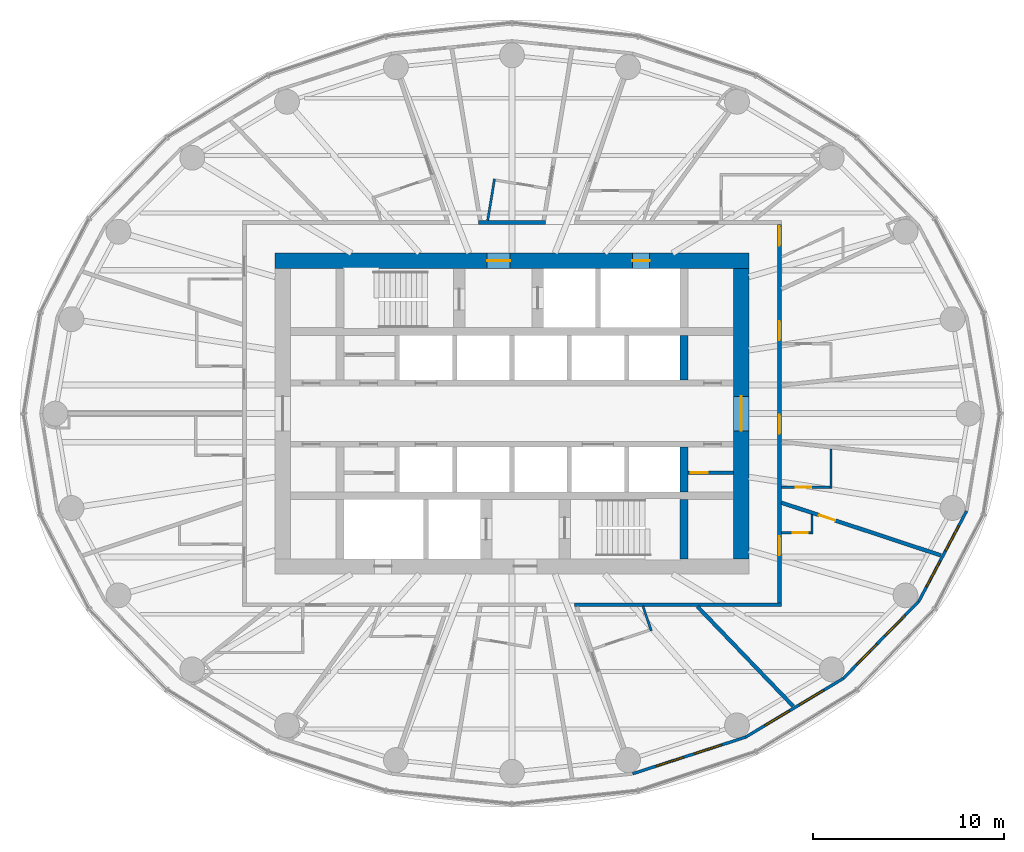
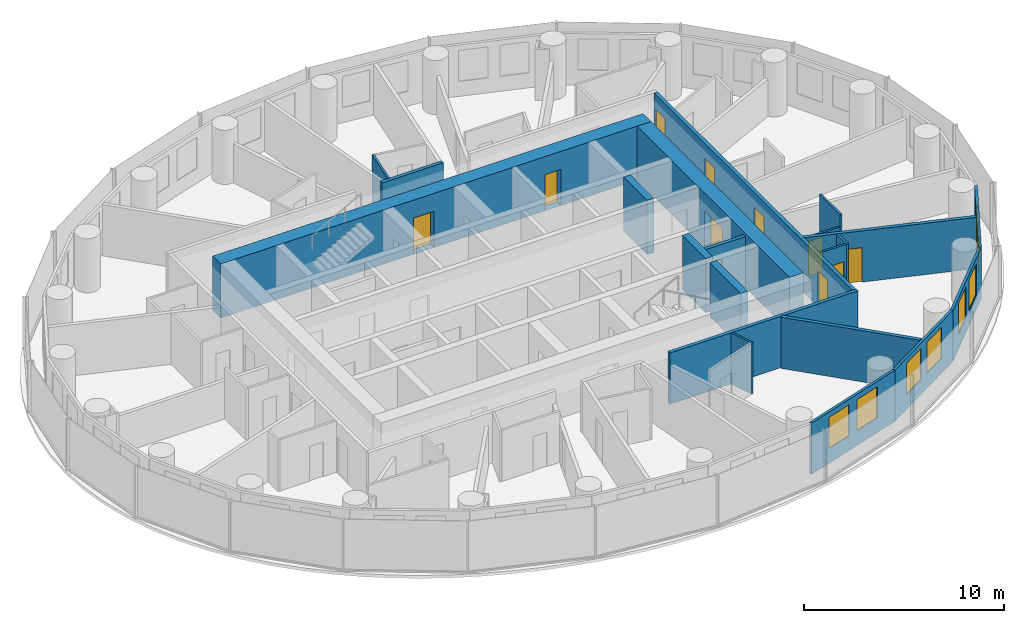
# One storey, part 9 of 13: 21 walls, 11 doors, 8 windows, 19 openings.
"""IFC4 building model written with IfcOpenShell, lengths in metres."""

import ifcopenshell
import ifcopenshell.guid

model = None  # the IFC model being written
_history = None  # IfcOwnerHistory: only IFC2X3 demands one
_inside = {}  # id of a spatial element -> (the spatial element, [elements in it])
_under = {}  # id of a project, library or spatial element -> (it, [spatial elements below it])
_declared = {}  # id of a project -> (the project, [libraries it declares])
_typed = {}  # id of a type object -> (the type object, [elements of that type])
_made_of = {}  # id of a material, layer set ... -> (it, [elements and type objects made of it])


def new_model(schema):
    """Start an empty IFC model of exactly this schema.

    Asked for "IFC4X3", IfcOpenShell would pick the latest addendum, in which some entities
    have other attributes; the version numbers below select the first issue.
    IFC2X3 requires an IfcOwnerHistory on every rooted entity: one is made here for all.
    """
    global model, _history
    if schema == "IFC4X3":
        model = ifcopenshell.file(schema_version=(4, 3, 0, 0))
    else:
        model = ifcopenshell.file(schema=schema)
    _inside.clear()
    _under.clear()
    _declared.clear()
    _typed.clear()
    _made_of.clear()
    _history = None
    if model.schema == "IFC2X3":
        org = make("IfcOrganization", Name="unknown")
        user = make(
            "IfcPersonAndOrganization",
            ThePerson=make("IfcPerson", FamilyName="unknown"),
            TheOrganization=org,
        )
        app = make(
            "IfcApplication",
            ApplicationDeveloper=org,
            Version="unknown",
            ApplicationFullName="unknown",
            ApplicationIdentifier="unknown",
        )
        _history = make(
            "IfcOwnerHistory",
            OwningUser=user,
            OwningApplication=app,
            ChangeAction="ADDED",
            CreationDate=0,
        )
    return model


def make(cls, **values):
    """One entity of the class cls with the attributes given. An attribute that is None is left unset."""
    return model.create_entity(
        cls, **{name: value for name, value in values.items() if value is not None}
    )


def rooted(cls, **values):
    """An entity with a GlobalId (a new one), such as an element, a storey or a relation."""
    return make(cls, GlobalId=ifcopenshell.guid.new(), OwnerHistory=_history, **values)


def si_unit(unit_type, name, prefix=None):
    """IfcSIUnit, for example si_unit("LENGTHUNIT", "METRE", prefix="MILLI")."""
    return make("IfcSIUnit", UnitType=unit_type, Prefix=prefix, Name=name)


def assignment(units):
    """IfcUnitAssignment: the units of a project."""
    return None if units is None else make("IfcUnitAssignment", Units=units)


def point(xyz):
    """IfcCartesianPoint."""
    return None if xyz is None else make("IfcCartesianPoint", Coordinates=xyz)


def direction(xyz):
    """IfcDirection."""
    return None if xyz is None else make("IfcDirection", DirectionRatios=xyz)


def frame(location, z_axis=None, x_axis=None):
    """IfcAxis2Placement3D, a coordinate frame: its origin and axes. An axis left out is left unset."""
    return make(
        "IfcAxis2Placement3D",
        Location=point(location),
        Axis=direction(z_axis),
        RefDirection=direction(x_axis),
    )


def frame_2d(location, x_axis=None):
    """IfcAxis2Placement2D, a coordinate frame in the plane: its origin and x axis."""
    return make(
        "IfcAxis2Placement2D", Location=point(location), RefDirection=direction(x_axis)
    )


def origin():
    """The frame at (0, 0, 0) with its axes left unset."""
    return frame((0.0, 0.0, 0.0))


def place(relative_to, where):
    """IfcLocalPlacement: puts the frame where relative to a parent placement (None: the world)."""
    return make(
        "IfcLocalPlacement", PlacementRelTo=relative_to, RelativePlacement=where
    )


def context(
    kind, dimensions, precision=None, world=None, true_north=None, identifier=None
):
    """IfcGeometricRepresentationContext, for example the 3D "Model" context."""
    return make(
        "IfcGeometricRepresentationContext",
        ContextIdentifier=identifier,
        ContextType=kind,
        CoordinateSpaceDimension=dimensions,
        Precision=precision,
        WorldCoordinateSystem=world,
        TrueNorth=true_north,
    )


def subcontext(parent, identifier, kind, view, scale=None):
    """IfcGeometricRepresentationSubContext, for example "Body" below "Model"."""
    return make(
        "IfcGeometricRepresentationSubContext",
        ContextIdentifier=identifier,
        ContextType=kind,
        ParentContext=parent,
        TargetScale=scale,
        TargetView=view,
    )


def project(units=None, contexts=None):
    """IfcProject with its units and contexts."""
    return rooted(
        "IfcProject",
        Name="project",
        RepresentationContexts=contexts,
        UnitsInContext=assignment(units),
    )


def spatial(cls, under=None, at=None, **own):
    """A site, building, storey or space (cls), placed at a placement, below another one or the project."""
    s = rooted(cls, ObjectPlacement=at, **own)
    if under is not None:
        _under.setdefault(under.id(), (under, []))[1].append(s)
    return s


def profile(cls, at=None, kind="AREA", **sizes):
    """A parametric profile (cls). Its sizes go by their IFC names, for example OverallWidth=200.0."""
    return make(cls, ProfileType=kind, Position=at, **sizes)


def rectangle(**sizes):
    """IfcRectangleProfileDef."""
    return profile("IfcRectangleProfileDef", **sizes)


def extrude(swept, where, along, depth):
    """IfcExtrudedAreaSolid: the profile swept, set in the frame where, extruded along a direction by depth."""
    return make(
        "IfcExtrudedAreaSolid",
        SweptArea=swept,
        Position=where,
        ExtrudedDirection=direction(along),
        Depth=depth,
    )


def shape(context_of_items, identifier, shape_type, items):
    """IfcShapeRepresentation: the items that make up one representation, for example the "Body"."""
    return make(
        "IfcShapeRepresentation",
        ContextOfItems=context_of_items,
        RepresentationIdentifier=identifier,
        RepresentationType=shape_type,
        Items=items,
    )


def material(Name=None, Category=None):
    """IfcMaterial."""
    return make("IfcMaterial", Name=Name, Category=Category)


def layer(
    of_material, thickness, ventilated=None, Name=None, Category=None, Priority=None
):
    """IfcMaterialLayer: one layer of a wall or slab, of a material (None: an air gap)."""
    return make(
        "IfcMaterialLayer",
        Material=of_material,
        LayerThickness=thickness,
        IsVentilated=ventilated,
        Name=Name,
        Category=Category,
        Priority=Priority,
    )


def layer_set(layers, Name=None):
    """IfcMaterialLayerSet."""
    return make("IfcMaterialLayerSet", MaterialLayers=layers, LayerSetName=Name)


def made_of(thing, what):
    """Note that an element or type object is made of a material, layer set ...; save() writes the relation."""
    if what is not None:
        _made_of.setdefault(what.id(), (what, []))[1].append(thing)
    return thing


def type_object(cls, material=None, **own):
    """A type object (cls), such as IfcWallType, which elements share."""
    return made_of(rooted(cls, **own), material)


def element(
    cls,
    number,
    at=None,
    inside=None,
    cuts=None,
    type_object=None,
    material=None,
    context=None,
    identifier="Body",
    shape_type=None,
    held_by="IfcProductDefinitionShape",
    body=None,
    shapes=None,
    **own,
):
    """One element of the class cls, such as IfcWall. Its Tag is "e" and its number.

    at: its placement. inside: the storey or other place that contains it. cuts: it is an
    opening in that element (IfcRelVoidsElement). A single representation is given by context,
    identifier, shape_type and body (its items); several are given by shapes. held_by: the class
    of the entity that holds the representations. save() writes the other relations.
    """
    e = rooted(cls, Tag="e%d" % number, ObjectPlacement=at, **own)
    if body is not None:
        shapes = [shape(context, identifier, shape_type, body)]
    if shapes is not None:
        e.Representation = make(held_by, Representations=shapes)
    if inside is not None:
        _inside.setdefault(inside.id(), (inside, []))[1].append(e)
    if cuts is not None:
        rooted(
            "IfcRelVoidsElement", RelatingBuildingElement=cuts, RelatedOpeningElement=e
        )
    if type_object is not None:
        _typed.setdefault(type_object.id(), (type_object, []))[1].append(e)
    return made_of(e, material)


def fill(opening, filler):
    """IfcRelFillsElement: the door or window that sits in an opening."""
    return rooted(
        "IfcRelFillsElement",
        RelatingOpeningElement=opening,
        RelatedBuildingElement=filler,
    )


def aggregate(whole, parts):
    """IfcRelAggregates: a whole, such as a stair, and the parts it consists of."""
    return rooted("IfcRelAggregates", RelatingObject=whole, RelatedObjects=parts)


def save(model, path):
    """Write the relations noted so far, then the file.

    IfcRelAggregates (storeys below a building ...), IfcRelContainedInSpatialStructure (elements
    in a storey), IfcRelDefinesByType, IfcRelAssociatesMaterial and IfcRelDeclares: one each for
    every whole, place, type object, material and project.
    """
    for whole, parts in _under.values():
        aggregate(whole, parts)
    for where, things in _inside.values():
        rooted(
            "IfcRelContainedInSpatialStructure",
            RelatedElements=things,
            RelatingStructure=where,
        )
    for kind, things in _typed.values():
        rooted("IfcRelDefinesByType", RelatedObjects=things, RelatingType=kind)
    for what, things in _made_of.values():
        rooted("IfcRelAssociatesMaterial", RelatedObjects=things, RelatingMaterial=what)
    for by, libraries in _declared.values():
        rooted("IfcRelDeclares", RelatingContext=by, RelatedDefinitions=libraries)
    model.write(path)


model = new_model("IFC4")

# Units and contexts
model_context = context("Model", 3, precision=1e-05, world=origin(), true_north=direction((0.0, 1.0)))
body_context = subcontext(model_context, "Body", "Model", "MODEL_VIEW")
ifc_project = project(units=[si_unit("LENGTHUNIT", "METRE"), si_unit("AREAUNIT", "SQUARE_METRE"), si_unit("VOLUMEUNIT", "CUBIC_METRE"), si_unit("PLANEANGLEUNIT", "RADIAN"), si_unit("MASSUNIT", "GRAM", prefix="KILO")], contexts=[model_context])

# Site, building, storey
site_placement = place(None, origin())
site = spatial("IfcSite", under=ifc_project, at=site_placement, CompositionType="ELEMENT")
building_placement = place(site_placement, origin())
building = spatial("IfcBuilding", under=site, at=building_placement, Name="Hankou Lantern Tower", CompositionType="ELEMENT")
storey_placement = place(building_placement, frame((0.0, 0.0, 118.800048828125)))
storey = spatial("IfcBuildingStorey", under=building, at=storey_placement, Name="L30", CompositionType="ELEMENT", Elevation=118.800048828125)

# Wall, openings, doors
ifc_material_1 = material(Name="Concrete C60", Category="concrete")
ifc_layer_1 = layer(ifc_material_1, 0.800048828125)
ifc_layer_set_1 = layer_set([ifc_layer_1], Name="Concrete C60")
wall_type_1 = type_object("IfcWallType", Name="CW2 CORE WALL 800", PredefinedType="SHEAR", material=ifc_layer_set_1)
wall_1_placement = place(storey_placement, frame((-12.39990234375, 8.0, 0.0), z_axis=(0.0, 0.0, 1.0), x_axis=(1.0, 0.0, 0.0)))
wall_1 = element("IfcWall", 1, at=wall_1_placement, inside=storey, type_object=wall_type_1, Name="Core wall north L30", PredefinedType="SHEAR", context=body_context, shape_type="SweptSolid", body=[
    extrude(rectangle(XDim=24.7998046875, YDim=0.800048828125, at=frame_2d((12.39990234375, 0.0))), origin(), (0.0, 0.0, 1.0), 3.300048828125),
])
opening_1_placement = place(wall_1_placement, frame((11.10009765625, 0.0, 0.0)))
opening_1 = element("IfcOpeningElement", 2, at=opening_1_placement, cuts=wall_1, Name="Opening D5", PredefinedType="OPENING", context=body_context, shape_type="SweptSolid", body=[
    extrude(rectangle(XDim=1.199951171875, YDim=2.199951171875, at=frame_2d((0.60009765625, 1.10009765625))), frame((0.0, 0.409912109375, 0.0), z_axis=(0.0, -1.0, 0.0), x_axis=(1.0, 0.0, 0.0)), (0.0, 0.0, 1.0), 0.820068359375),
])
opening_2_placement = place(wall_1_placement, frame((18.699951171875, 0.0, 0.0)))
opening_2 = element("IfcOpeningElement", 3, at=opening_2_placement, cuts=wall_1, Name="Opening D7", PredefinedType="OPENING", context=body_context, shape_type="SweptSolid", body=[
    extrude(rectangle(XDim=0.89990234375, YDim=2.199951171875, at=frame_2d((0.449951171875, 1.10009765625))), frame((0.0, 0.409912109375, 0.0), z_axis=(0.0, -1.0, 0.0), x_axis=(1.0, 0.0, 0.0)), (0.0, 0.0, 1.0), 0.820068359375),
])
ifc_material_2 = material(Name="Steel door leaf", Category="steel")
door_type_1 = type_object("IfcDoorType", Name="D5 STAIR LOBBY DOOR 1200X2200", OperationType="SINGLE_SWING_LEFT", PredefinedType="DOOR", material=ifc_material_2)
door_1_placement = place(opening_1_placement, origin())
door_1 = element("IfcDoor", 4, at=door_1_placement, inside=storey, type_object=door_type_1, Name="Stair A lobby door", OperationType="SINGLE_SWING_LEFT", OverallHeight=2.199951171875, OverallWidth=1.199951171875, PredefinedType="DOOR", context=body_context, shape_type="SweptSolid", body=[
    extrude(rectangle(XDim=1.199951171875, YDim=2.199951171875, at=frame_2d((0.60009765625, 1.10009765625))), frame((0.0, 0.02490234375, 0.0), z_axis=(0.0, -1.0, 0.0), x_axis=(1.0, 0.0, 0.0)), (0.0, 0.0, 1.0), 0.050048828125),
])
fill(opening_1, door_1)
ifc_material_3 = material(Name="Steel door leaf", Category="steel")
door_type_2 = type_object("IfcDoorType", Name="D7 RISER DOOR 900X2200", OperationType="SINGLE_SWING_LEFT", PredefinedType="DOOR", material=ifc_material_3)
door_2_placement = place(opening_2_placement, origin())
door_2 = element("IfcDoor", 5, at=door_2_placement, inside=storey, type_object=door_type_2, Name="Riser N1 door", OperationType="SINGLE_SWING_RIGHT", OverallHeight=2.199951171875, OverallWidth=0.89990234375, PredefinedType="DOOR", context=body_context, shape_type="SweptSolid", body=[
    extrude(rectangle(XDim=0.89990234375, YDim=2.199951171875, at=frame_2d((0.449951171875, 1.10009765625))), frame((0.0, 0.02490234375, 0.0), z_axis=(0.0, -1.0, 0.0), x_axis=(1.0, 0.0, 0.0)), (0.0, 0.0, 1.0), 0.050048828125),
])
fill(opening_2, door_2)

# Wall, opening, door
wall_2_placement = place(storey_placement, frame((12.0, -7.60009765625, 0.0), z_axis=(0.0, 0.0, 1.0), x_axis=(0.0, 1.0, 0.0)))
wall_2 = element("IfcWall", 6, at=wall_2_placement, inside=storey, type_object=wall_type_1, Name="Core wall east L30", PredefinedType="SHEAR", context=body_context, shape_type="SweptSolid", body=[
    extrude(rectangle(XDim=15.2001953125, YDim=0.800048828125, at=frame_2d((7.60009765625, 0.0))), origin(), (0.0, 0.0, 1.0), 3.300048828125),
])
opening_3_placement = place(wall_2_placement, frame((6.699951171875, 0.0, 0.0)))
opening_3 = element("IfcOpeningElement", 7, at=opening_3_placement, cuts=wall_2, Name="Opening D6", PredefinedType="OPENING", context=body_context, shape_type="SweptSolid", body=[
    extrude(rectangle(XDim=1.800048828125, YDim=2.199951171875, at=frame_2d((0.89990234375, 1.10009765625))), frame((0.0, 0.409912109375, 0.0), z_axis=(0.0, -1.0, 0.0), x_axis=(1.0, 0.0, 0.0)), (0.0, 0.0, 1.0), 0.820068359375),
])
ifc_material_4 = material(Name="Steel door leaf", Category="steel")
door_type_3 = type_object("IfcDoorType", Name="D6 LIFT LOBBY DOOR 1800X2200", OperationType="DOUBLE_DOOR_DOUBLE_SWING", PredefinedType="DOOR", material=ifc_material_4)
door_3_placement = place(opening_3_placement, origin())
door_3 = element("IfcDoor", 8, at=door_3_placement, inside=storey, type_object=door_type_3, Name="Lift lobby east door", OperationType="DOUBLE_DOOR_DOUBLE_SWING", OverallHeight=2.199951171875, OverallWidth=1.800048828125, PredefinedType="DOOR", context=body_context, shape_type="SweptSolid", body=[
    extrude(rectangle(XDim=1.800048828125, YDim=2.199951171875, at=frame_2d((0.89990234375, 1.10009765625))), frame((0.0, 0.02490234375, 0.0), z_axis=(0.0, -1.0, 0.0), x_axis=(1.0, 0.0, 0.0)), (0.0, 0.0, 1.0), 0.050048828125),
])
fill(opening_3, door_3)

# Walls
ifc_material_5 = material(Name="Concrete C60", Category="concrete")
ifc_layer_2 = layer(ifc_material_5, 0.39990234375)
ifc_layer_set_2 = layer_set([ifc_layer_2], Name="Concrete C60")
wall_type_2 = type_object("IfcWallType", Name="CW4 CORE CROSS WALL 400", PredefinedType="SHEAR", material=ifc_layer_set_2)
for number, where, z_axis, x_axis, name in (
    (9, (9.0, 1.75, 0.0), (0.0, 0.0, 1.0), (0.0, 1.0, 0.0), "Core strip wall L30"),
    (10, (9.0, -4.10009765625, 0.0), (0.0, 0.0, 1.0), (0.0, 1.0, 0.0), "Core strip wall L30"),
):
    element("IfcWall", number, at=place(storey_placement, frame(where, z_axis=z_axis, x_axis=x_axis)), inside=storey, type_object=wall_type_2, Name=name, PredefinedType="SHEAR", context=body_context, shape_type="SweptSolid", body=[
        extrude(rectangle(XDim=2.35009765625, YDim=0.39990234375, at=frame_2d((1.175048828125, 0.0))), origin(), (0.0, 0.0, 1.0), 3.300048828125),
    ])
wall_3_placement = place(storey_placement, frame((9.0, -7.60009765625, 0.0), z_axis=(0.0, 0.0, 1.0), x_axis=(0.0, 1.0, 0.0)))
element("IfcWall", 11, at=wall_3_placement, inside=storey, type_object=wall_type_2, Name="Core strip wall L30", PredefinedType="SHEAR", context=body_context, shape_type="SweptSolid", body=[
    extrude(rectangle(XDim=3.10009765625, YDim=0.39990234375, at=frame_2d((1.550048828125, 0.0))), origin(), (0.0, 0.0, 1.0), 3.300048828125),
])

# Wall, openings, windows
ifc_material_6 = material(Name="Aluminium spandrel panel on steel studs", Category="steel")
ifc_layer_3 = layer(ifc_material_6, 0.14990234375)
ifc_layer_set_3 = layer_set([ifc_layer_3], Name="Aluminium spandrel panel on steel studs")
wall_type_3 = type_object("IfcWallType", Name="EW1 INNER SKIN WALL 150", PredefinedType="ELEMENTEDWALL", material=ifc_layer_set_3)
wall_4_placement = place(storey_placement, frame((6.3134765625, -18.849609375, 0.0), z_axis=(0.0, 0.0, 1.0), x_axis=(0.951272691506, 0.308350881944, 0.0)))
wall_4 = element("IfcWall", 12, at=wall_4_placement, inside=storey, type_object=wall_type_3, Name="Inner skin R20-R21 L30", PredefinedType="ELEMENTEDWALL", context=body_context, shape_type="SweptSolid", body=[
    extrude(rectangle(XDim=6.210693359375, YDim=0.14990234375, at=frame_2d((3.10546875, 0.0))), origin(), (0.0, 0.0, 1.0), 3.119873046875),
])
opening_4_placement = place(wall_4_placement, frame((1.305419921875, 0.0, 0.89990234375)))
opening_4 = element("IfcOpeningElement", 13, at=opening_4_placement, cuts=wall_4, Name="Opening W2", PredefinedType="OPENING", context=body_context, shape_type="SweptSolid", body=[
    extrude(rectangle(XDim=1.5, YDim=1.89990234375, at=frame_2d((0.75, 0.949951171875))), frame((0.0, 0.0849609375, 0.0), z_axis=(0.0, -1.0, 0.0), x_axis=(1.0, 0.0, 0.0)), (0.0, 0.0, 1.0), 0.169921875),
])
opening_5_placement = place(wall_4_placement, frame((3.4052734375, 0.0, 0.89990234375)))
opening_5 = element("IfcOpeningElement", 14, at=opening_5_placement, cuts=wall_4, Name="Opening W2", PredefinedType="OPENING", context=body_context, shape_type="SweptSolid", body=[
    extrude(rectangle(XDim=1.5, YDim=1.89990234375, at=frame_2d((0.75, 0.949951171875))), frame((0.0, 0.0849609375, 0.0), z_axis=(0.0, -1.0, 0.0), x_axis=(1.0, 0.0, 0.0)), (0.0, 0.0, 1.0), 0.169921875),
])
ifc_material_7 = material(Name="Aluminium framed double glazed window", Category="aluminium")
window_type = type_object("IfcWindowType", Name="W2 GUEST ROOM WINDOW 1500X1900", PartitioningType="DOUBLE_PANEL_VERTICAL", PredefinedType="WINDOW", material=ifc_material_7)
window_1_placement = place(opening_4_placement, origin())
window_1 = element("IfcWindow", 15, at=window_1_placement, inside=storey, type_object=window_type, Name="Window R20.1 L30", OverallHeight=1.89990234375, OverallWidth=1.5, PartitioningType="SINGLE_PANEL", PredefinedType="WINDOW", context=body_context, shape_type="SweptSolid", body=[
    extrude(rectangle(XDim=1.5, YDim=1.89990234375, at=frame_2d((0.75, 0.949951171875))), frame((0.0, 0.030029296875, 0.0), z_axis=(0.0, -1.0, 0.0), x_axis=(1.0, 0.0, 0.0)), (0.0, 0.0, 1.0), 0.06005859375),
])
fill(opening_4, window_1)
window_2_placement = place(opening_5_placement, origin())
window_2 = element("IfcWindow", 16, at=window_2_placement, inside=storey, type_object=window_type, Name="Window R20.2 L30", OverallHeight=1.89990234375, OverallWidth=1.5, PartitioningType="SINGLE_PANEL", PredefinedType="WINDOW", context=body_context, shape_type="SweptSolid", body=[
    extrude(rectangle(XDim=1.5, YDim=1.89990234375, at=frame_2d((0.75, 0.949951171875))), frame((0.0, 0.030029296875, 0.0), z_axis=(0.0, -1.0, 0.0), x_axis=(1.0, 0.0, 0.0)), (0.0, 0.0, 1.0), 0.06005859375),
])
fill(opening_5, window_2)

wall_5_placement = place(storey_placement, frame((12.221435546875, -16.9345703125, 0.0), z_axis=(0.0, 0.0, 1.0), x_axis=(0.857308573723, 0.514802884044, 0.0)))
wall_5 = element("IfcWall", 17, at=wall_5_placement, inside=storey, type_object=wall_type_3, Name="Inner skin R21-R22 L30", PredefinedType="ELEMENTEDWALL", context=body_context, shape_type="SweptSolid", body=[
    extrude(rectangle(XDim=5.961181640625, YDim=0.14990234375, at=frame_2d((2.98046875, 0.0))), origin(), (0.0, 0.0, 1.0), 3.119873046875),
])
opening_6_placement = place(wall_5_placement, frame((1.1806640625, 0.0, 0.89990234375)))
opening_6 = element("IfcOpeningElement", 18, at=opening_6_placement, cuts=wall_5, Name="Opening W2", PredefinedType="OPENING", context=body_context, shape_type="SweptSolid", body=[
    extrude(rectangle(XDim=1.5, YDim=1.89990234375, at=frame_2d((0.75, 0.949951171875))), frame((0.0, 0.0849609375, 0.0), z_axis=(0.0, -1.0, 0.0), x_axis=(1.0, 0.0, 0.0)), (0.0, 0.0, 1.0), 0.169921875),
])
opening_7_placement = place(wall_5_placement, frame((3.280517578125, 0.0, 0.89990234375)))
opening_7 = element("IfcOpeningElement", 19, at=opening_7_placement, cuts=wall_5, Name="Opening W2", PredefinedType="OPENING", context=body_context, shape_type="SweptSolid", body=[
    extrude(rectangle(XDim=1.5, YDim=1.89990234375, at=frame_2d((0.75, 0.949951171875))), frame((0.0, 0.0849609375, 0.0), z_axis=(0.0, -1.0, 0.0), x_axis=(1.0, 0.0, 0.0)), (0.0, 0.0, 1.0), 0.169921875),
])
window_3_placement = place(opening_6_placement, origin())
window_3 = element("IfcWindow", 20, at=window_3_placement, inside=storey, type_object=window_type, Name="Window R21.1 L30", OverallHeight=1.89990234375, OverallWidth=1.5, PartitioningType="SINGLE_PANEL", PredefinedType="WINDOW", context=body_context, shape_type="SweptSolid", body=[
    extrude(rectangle(XDim=1.5, YDim=1.89990234375, at=frame_2d((0.75, 0.949951171875))), frame((0.0, 0.030029296875, 0.0), z_axis=(0.0, -1.0, 0.0), x_axis=(1.0, 0.0, 0.0)), (0.0, 0.0, 1.0), 0.06005859375),
])
fill(opening_6, window_3)
window_4_placement = place(opening_7_placement, origin())
window_4 = element("IfcWindow", 21, at=window_4_placement, inside=storey, type_object=window_type, Name="Window R21.2 L30", OverallHeight=1.89990234375, OverallWidth=1.5, PartitioningType="SINGLE_PANEL", PredefinedType="WINDOW", context=body_context, shape_type="SweptSolid", body=[
    extrude(rectangle(XDim=1.5, YDim=1.89990234375, at=frame_2d((0.75, 0.949951171875))), frame((0.0, 0.030029296875, 0.0), z_axis=(0.0, -1.0, 0.0), x_axis=(1.0, 0.0, 0.0)), (0.0, 0.0, 1.0), 0.06005859375),
])
fill(opening_7, window_4)

wall_6_placement = place(storey_placement, frame((17.33203125, -13.86572265625, 0.0), z_axis=(0.0, 0.0, 1.0), x_axis=(0.700136650834, 0.714008872605, 0.0)))
wall_6 = element("IfcWall", 22, at=wall_6_placement, inside=storey, type_object=wall_type_3, Name="Inner skin R22-R23 L30", PredefinedType="ELEMENTEDWALL", context=body_context, shape_type="SweptSolid", body=[
    extrude(rectangle(XDim=5.6494140625, YDim=0.14990234375, at=frame_2d((2.82470703125, 0.0))), origin(), (0.0, 0.0, 1.0), 3.119873046875),
])
opening_8_placement = place(wall_6_placement, frame((1.024658203125, 0.0, 0.89990234375)))
opening_8 = element("IfcOpeningElement", 23, at=opening_8_placement, cuts=wall_6, Name="Opening W2", PredefinedType="OPENING", context=body_context, shape_type="SweptSolid", body=[
    extrude(rectangle(XDim=1.5, YDim=1.89990234375, at=frame_2d((0.75, 0.949951171875))), frame((0.0, 0.0849609375, 0.0), z_axis=(0.0, -1.0, 0.0), x_axis=(1.0, 0.0, 0.0)), (0.0, 0.0, 1.0), 0.169921875),
])
opening_9_placement = place(wall_6_placement, frame((3.12451171875, 0.0, 0.89990234375)))
opening_9 = element("IfcOpeningElement", 24, at=opening_9_placement, cuts=wall_6, Name="Opening W2", PredefinedType="OPENING", context=body_context, shape_type="SweptSolid", body=[
    extrude(rectangle(XDim=1.5, YDim=1.89990234375, at=frame_2d((0.75, 0.949951171875))), frame((0.0, 0.0849609375, 0.0), z_axis=(0.0, -1.0, 0.0), x_axis=(1.0, 0.0, 0.0)), (0.0, 0.0, 1.0), 0.169921875),
])
window_5_placement = place(opening_8_placement, origin())
window_5 = element("IfcWindow", 25, at=window_5_placement, inside=storey, type_object=window_type, Name="Window R22.1 L30", OverallHeight=1.89990234375, OverallWidth=1.5, PartitioningType="SINGLE_PANEL", PredefinedType="WINDOW", context=body_context, shape_type="SweptSolid", body=[
    extrude(rectangle(XDim=1.5, YDim=1.89990234375, at=frame_2d((0.75, 0.949951171875))), frame((0.0, 0.030029296875, 0.0), z_axis=(0.0, -1.0, 0.0), x_axis=(1.0, 0.0, 0.0)), (0.0, 0.0, 1.0), 0.06005859375),
])
fill(opening_8, window_5)
window_6_placement = place(opening_9_placement, origin())
window_6 = element("IfcWindow", 26, at=window_6_placement, inside=storey, type_object=window_type, Name="Window R22.2 L30", OverallHeight=1.89990234375, OverallWidth=1.5, PartitioningType="SINGLE_PANEL", PredefinedType="WINDOW", context=body_context, shape_type="SweptSolid", body=[
    extrude(rectangle(XDim=1.5, YDim=1.89990234375, at=frame_2d((0.75, 0.949951171875))), frame((0.0, 0.030029296875, 0.0), z_axis=(0.0, -1.0, 0.0), x_axis=(1.0, 0.0, 0.0)), (0.0, 0.0, 1.0), 0.06005859375),
])
fill(opening_9, window_6)

wall_7_placement = place(storey_placement, frame((21.287353515625, -9.83203125, 0.0), z_axis=(0.0, 0.0, 1.0), x_axis=(0.467814388454, 0.883826735257, 0.0)))
wall_7 = element("IfcWall", 27, at=wall_7_placement, inside=storey, type_object=wall_type_3, Name="Inner skin R23-R24 L30", PredefinedType="ELEMENTEDWALL", context=body_context, shape_type="SweptSolid", body=[
    extrude(rectangle(XDim=5.35400390625, YDim=0.14990234375, at=frame_2d((2.677001953125, 0.0))), origin(), (0.0, 0.0, 1.0), 3.119873046875),
])
opening_10_placement = place(wall_7_placement, frame((0.876953125, 0.0, 0.89990234375)))
opening_10 = element("IfcOpeningElement", 28, at=opening_10_placement, cuts=wall_7, Name="Opening W2", PredefinedType="OPENING", context=body_context, shape_type="SweptSolid", body=[
    extrude(rectangle(XDim=1.5, YDim=1.89990234375, at=frame_2d((0.75, 0.949951171875))), frame((0.0, 0.0849609375, 0.0), z_axis=(0.0, -1.0, 0.0), x_axis=(1.0, 0.0, 0.0)), (0.0, 0.0, 1.0), 0.169921875),
])
opening_11_placement = place(wall_7_placement, frame((2.97705078125, 0.0, 0.89990234375)))
opening_11 = element("IfcOpeningElement", 29, at=opening_11_placement, cuts=wall_7, Name="Opening W2", PredefinedType="OPENING", context=body_context, shape_type="SweptSolid", body=[
    extrude(rectangle(XDim=1.5, YDim=1.89990234375, at=frame_2d((0.75, 0.949951171875))), frame((0.0, 0.0849609375, 0.0), z_axis=(0.0, -1.0, 0.0), x_axis=(1.0, 0.0, 0.0)), (0.0, 0.0, 1.0), 0.169921875),
])
window_7_placement = place(opening_10_placement, origin())
window_7 = element("IfcWindow", 30, at=window_7_placement, inside=storey, type_object=window_type, Name="Window R23.1 L30", OverallHeight=1.89990234375, OverallWidth=1.5, PartitioningType="SINGLE_PANEL", PredefinedType="WINDOW", context=body_context, shape_type="SweptSolid", body=[
    extrude(rectangle(XDim=1.5, YDim=1.89990234375, at=frame_2d((0.75, 0.949951171875))), frame((0.0, 0.030029296875, 0.0), z_axis=(0.0, -1.0, 0.0), x_axis=(1.0, 0.0, 0.0)), (0.0, 0.0, 1.0), 0.06005859375),
])
fill(opening_10, window_7)
window_8_placement = place(opening_11_placement, origin())
window_8 = element("IfcWindow", 31, at=window_8_placement, inside=storey, type_object=window_type, Name="Window R23.2 L30", OverallHeight=1.89990234375, OverallWidth=1.5, PartitioningType="SINGLE_PANEL", PredefinedType="WINDOW", context=body_context, shape_type="SweptSolid", body=[
    extrude(rectangle(XDim=1.5, YDim=1.89990234375, at=frame_2d((0.75, 0.949951171875))), frame((0.0, 0.030029296875, 0.0), z_axis=(0.0, -1.0, 0.0), x_axis=(1.0, 0.0, 0.0)), (0.0, 0.0, 1.0), 0.06005859375),
])
fill(opening_11, window_8)

# Wall
ifc_material_8 = material(Name="Masonry lightweight concrete block", Category="masonry")
ifc_layer_4 = layer(ifc_material_8, 0.199951171875)
ifc_layer_set_4 = layer_set([ifc_layer_4], Name="Masonry lightweight concrete block")
wall_type_4 = type_object("IfcWallType", Name="IW1 GUEST ROOM PARTY WALL 200", PredefinedType="PARTITIONING", material=ifc_layer_set_4)
wall_8_placement = place(storey_placement, frame((9.706298828125, -10.10009765625, 0.0), z_axis=(0.0, 0.0, 1.0), x_axis=(0.692944801824, -0.720990639069, 0.0)))
element("IfcWall", 32, at=wall_8_placement, inside=storey, type_object=wall_type_4, Name="Party wall R21-R22", PredefinedType="PARTITIONING", context=body_context, shape_type="SweptSolid", body=[
    extrude(rectangle(XDim=7.23388671875, YDim=0.199951171875, at=frame_2d((3.616943359375, 0.0))), origin(), (0.0, 0.0, 1.0), 3.119873046875),
])

# Wall, openings, doors
ifc_material_9 = material(Name="Masonry lightweight concrete block", Category="masonry")
ifc_layer_5 = layer(ifc_material_9, 0.199951171875)
ifc_layer_set_5 = layer_set([ifc_layer_5], Name="Masonry lightweight concrete block")
wall_type_5 = type_object("IfcWallType", Name="IW2 CORRIDOR WALL 200", PredefinedType="PARTITIONING", material=ifc_layer_set_5)
wall_9_placement = place(storey_placement, frame((14.0, -9.89990234375, 0.0), z_axis=(0.0, 0.0, 1.0), x_axis=(0.0, 1.0, 0.0)))
wall_9 = element("IfcWall", 33, at=wall_9_placement, inside=storey, type_object=wall_type_5, Name="Corridor wall east", PredefinedType="PARTITIONING", context=body_context, shape_type="SweptSolid", body=[
    extrude(rectangle(XDim=19.7998046875, YDim=0.199951171875, at=frame_2d((9.89990234375, 0.0))), origin(), (0.0, 0.0, 1.0), 3.119873046875),
])
opening_12_placement = place(wall_9_placement, frame((2.477783203125, 0.0, 0.0)))
opening_12 = element("IfcOpeningElement", 34, at=opening_12_placement, cuts=wall_9, Name="Opening D2", PredefinedType="OPENING", context=body_context, shape_type="SweptSolid", body=[
    extrude(rectangle(XDim=1.0, YDim=2.199951171875, at=frame_2d((0.5, 1.10009765625))), frame((0.0, 0.10986328125, 0.0), z_axis=(0.0, -1.0, 0.0), x_axis=(1.0, 0.0, 0.0)), (0.0, 0.0, 1.0), 0.219970703125),
])
opening_13_placement = place(wall_9_placement, frame((8.838134765625, 0.0, 0.0)))
opening_13 = element("IfcOpeningElement", 35, at=opening_13_placement, cuts=wall_9, Name="Opening D28", PredefinedType="OPENING", context=body_context, shape_type="SweptSolid", body=[
    extrude(rectangle(XDim=1.0, YDim=2.199951171875, at=frame_2d((0.5, 1.10009765625))), frame((0.0, 0.10986328125, 0.0), z_axis=(0.0, -1.0, 0.0), x_axis=(1.0, 0.0, 0.0)), (0.0, 0.0, 1.0), 0.219970703125),
])
opening_14_placement = place(wall_9_placement, frame((13.74169921875, 0.0, 0.0)))
opening_14 = element("IfcOpeningElement", 36, at=opening_14_placement, cuts=wall_9, Name="Opening D1", PredefinedType="OPENING", context=body_context, shape_type="SweptSolid", body=[
    extrude(rectangle(XDim=1.0, YDim=2.199951171875, at=frame_2d((0.5, 1.10009765625))), frame((0.0, 0.10986328125, 0.0), z_axis=(0.0, -1.0, 0.0), x_axis=(1.0, 0.0, 0.0)), (0.0, 0.0, 1.0), 0.219970703125),
])
opening_15_placement = place(wall_9_placement, frame((18.697509765625, 0.0, 0.0)))
opening_15 = element("IfcOpeningElement", 37, at=opening_15_placement, cuts=wall_9, Name="Opening D1", PredefinedType="OPENING", context=body_context, shape_type="SweptSolid", body=[
    extrude(rectangle(XDim=1.0, YDim=2.199951171875, at=frame_2d((0.5, 1.10009765625))), frame((0.0, 0.10986328125, 0.0), z_axis=(0.0, -1.0, 0.0), x_axis=(1.0, 0.0, 0.0)), (0.0, 0.0, 1.0), 0.219970703125),
])
ifc_material_10 = material(Name="Steel door leaf", Category="steel")
door_type_4 = type_object("IfcDoorType", Name="D1 GUEST ROOM DOOR 1000X2200", OperationType="SINGLE_SWING_LEFT", PredefinedType="DOOR", material=ifc_material_10)
door_4_placement = place(opening_14_placement, origin())
door_4 = element("IfcDoor", 38, at=door_4_placement, inside=storey, type_object=door_type_4, Name="Guest room door 3017", OperationType="SINGLE_SWING_RIGHT", OverallHeight=2.199951171875, OverallWidth=1.0, PredefinedType="DOOR", context=body_context, shape_type="SweptSolid", body=[
    extrude(rectangle(XDim=1.0, YDim=2.199951171875, at=frame_2d((0.5, 1.10009765625))), frame((0.0, 0.02490234375, 0.0), z_axis=(0.0, -1.0, 0.0), x_axis=(1.0, 0.0, 0.0)), (0.0, 0.0, 1.0), 0.050048828125),
])
fill(opening_14, door_4)
door_5_placement = place(opening_15_placement, origin())
door_5 = element("IfcDoor", 39, at=door_5_placement, inside=storey, type_object=door_type_4, Name="Guest room door 3018", OperationType="SINGLE_SWING_RIGHT", OverallHeight=2.199951171875, OverallWidth=1.0, PredefinedType="DOOR", context=body_context, shape_type="SweptSolid", body=[
    extrude(rectangle(XDim=1.0, YDim=2.199951171875, at=frame_2d((0.5, 1.10009765625))), frame((0.0, 0.02490234375, 0.0), z_axis=(0.0, -1.0, 0.0), x_axis=(1.0, 0.0, 0.0)), (0.0, 0.0, 1.0), 0.050048828125),
])
fill(opening_15, door_5)
ifc_material_11 = material(Name="Steel door leaf", Category="steel")
door_type_5 = type_object("IfcDoorType", Name="D2 SUITE DOOR 1000X2200", OperationType="SINGLE_SWING_LEFT", PredefinedType="DOOR", material=ifc_material_11)
door_6_placement = place(opening_12_placement, origin())
door_6 = element("IfcDoor", 40, at=door_6_placement, inside=storey, type_object=door_type_5, Name="Suite door 3015C", OperationType="SINGLE_SWING_LEFT", OverallHeight=2.199951171875, OverallWidth=1.0, PredefinedType="DOOR", context=body_context, shape_type="SweptSolid", body=[
    extrude(rectangle(XDim=1.0, YDim=2.199951171875, at=frame_2d((0.5, 1.10009765625))), frame((0.0, 0.02490234375, 0.0), z_axis=(0.0, -1.0, 0.0), x_axis=(1.0, 0.0, 0.0)), (0.0, 0.0, 1.0), 0.050048828125),
])
fill(opening_12, door_6)
ifc_material_12 = material(Name="Steel door leaf", Category="steel")
door_type_6 = type_object("IfcDoorType", Name="D28 SERVICE DOOR 1000X2200", OperationType="SINGLE_SWING_LEFT", PredefinedType="DOOR", material=ifc_material_12)
door_7_placement = place(opening_13_placement, origin())
door_7 = element("IfcDoor", 41, at=door_7_placement, inside=storey, type_object=door_type_6, Name="Service door 3016", OperationType="SINGLE_SWING_LEFT", OverallHeight=2.199951171875, OverallWidth=1.0, PredefinedType="DOOR", context=body_context, shape_type="SweptSolid", body=[
    extrude(rectangle(XDim=1.0, YDim=2.199951171875, at=frame_2d((0.5, 1.10009765625))), frame((0.0, 0.02490234375, 0.0), z_axis=(0.0, -1.0, 0.0), x_axis=(1.0, 0.0, 0.0)), (0.0, 0.0, 1.0), 0.050048828125),
])
fill(opening_13, door_7)

# Walls
wall_10_placement = place(storey_placement, frame((14.10009765625, -10.0, 0.0), z_axis=(0.0, 0.0, 1.0), x_axis=(-1.0, 0.0, 0.0)))
element("IfcWall", 42, at=wall_10_placement, inside=storey, type_object=wall_type_5, Name="Corridor wall south", PredefinedType="PARTITIONING", context=body_context, shape_type="SweptSolid", body=[
    extrude(rectangle(XDim=10.817138671875, YDim=0.199951171875, at=frame_2d((5.40869140625, 0.0))), origin(), (0.0, 0.0, 1.0), 3.119873046875),
])
wall_11_placement = place(storey_placement, frame((-1.76513671875, 10.0, 0.0), z_axis=(0.0, 0.0, 1.0), x_axis=(1.0, 0.0, 0.0)))
element("IfcWall", 43, at=wall_11_placement, inside=storey, type_object=wall_type_5, Name="Corridor wall north", PredefinedType="PARTITIONING", context=body_context, shape_type="SweptSolid", body=[
    extrude(rectangle(XDim=3.5302734375, YDim=0.199951171875, at=frame_2d((1.76513671875, 0.0))), origin(), (0.0, 0.0, 1.0), 3.119873046875),
])
ifc_material_13 = material(Name="Masonry lightweight concrete block", Category="masonry")
ifc_layer_6 = layer(ifc_material_13, 0.1201171875)
ifc_layer_set_6 = layer_set([ifc_layer_6], Name="Masonry lightweight concrete block")
wall_type_6 = type_object("IfcWallType", Name="IW3 BATHROOM WALL 120", PredefinedType="PARTITIONING", material=ifc_layer_set_6)
wall_12_placement = place(storey_placement, frame((-1.271240234375, 10.1162109375, 0.0), z_axis=(0.0, 0.0, 1.0), x_axis=(0.162672481395, 0.986680122328, 0.0)))
element("IfcWall", 44, at=wall_12_placement, inside=storey, type_object=wall_type_6, Name="Box wall 3002 1", PredefinedType="PARTITIONING", context=body_context, shape_type="SweptSolid", body=[
    extrude(rectangle(XDim=2.20166015625, YDim=0.1201171875, at=frame_2d((1.100830078125, 0.0))), origin(), (0.0, 0.0, 1.0), 3.119873046875),
])
wall_13_placement = place(storey_placement, frame((6.852294921875, -10.068359375, 0.0), z_axis=(0.0, 0.0, 1.0), x_axis=(0.317619240343, -0.948218338867, 0.0)))
element("IfcWall", 45, at=wall_13_placement, inside=storey, type_object=wall_type_6, Name="Box wall 3014 1", PredefinedType="PARTITIONING", context=body_context, shape_type="SweptSolid", body=[
    extrude(rectangle(XDim=1.3681640625, YDim=0.1201171875, at=frame_2d((0.68408203125, 0.0))), origin(), (0.0, 0.0, 1.0), 3.119873046875),
])
wall_14_placement = place(storey_placement, frame((15.699951171875, -5.291259765625, 0.0), z_axis=(0.0, 0.0, 1.0), x_axis=(0.0, -1.0, 0.0)))
element("IfcWall", 46, at=wall_14_placement, inside=storey, type_object=wall_type_6, Name="Box wall 3015C 1", PredefinedType="PARTITIONING", context=body_context, shape_type="SweptSolid", body=[
    extrude(rectangle(XDim=1.010986328125, YDim=0.1201171875, at=frame_2d((0.50537109375, 0.0))), origin(), (0.0, 0.0, 1.0), 3.119873046875),
])

# Wall, opening, door
wall_15_placement = place(storey_placement, frame((14.10009765625, -6.2421875, 0.0), z_axis=(0.0, 0.0, 1.0), x_axis=(1.0, 0.0, 0.0)))
wall_15 = element("IfcWall", 47, at=wall_15_placement, inside=storey, type_object=wall_type_6, Name="Box wall 3015C 1", PredefinedType="PARTITIONING", context=body_context, shape_type="SweptSolid", body=[
    extrude(rectangle(XDim=1.539794921875, YDim=0.1201171875, at=frame_2d((0.77001953125, 0.0))), origin(), (0.0, 0.0, 1.0), 3.119873046875),
])
opening_16_placement = place(wall_15_placement, frame((0.590087890625, 0.0, 0.0)))
opening_16 = element("IfcOpeningElement", 48, at=opening_16_placement, cuts=wall_15, Name="Opening D3", PredefinedType="OPENING", context=body_context, shape_type="SweptSolid", body=[
    extrude(rectangle(XDim=0.800048828125, YDim=2.10009765625, at=frame_2d((0.39990234375, 1.050048828125))), frame((0.0, 0.070068359375, 0.0), z_axis=(0.0, -1.0, 0.0), x_axis=(1.0, 0.0, 0.0)), (0.0, 0.0, 1.0), 0.14013671875),
])
ifc_material_14 = material(Name="Timber door leaf", Category="wood")
door_type_7 = type_object("IfcDoorType", Name="D3 BATHROOM DOOR 800X2100", OperationType="SINGLE_SWING_LEFT", PredefinedType="DOOR", material=ifc_material_14)
door_8_placement = place(opening_16_placement, origin())
door_8 = element("IfcDoor", 49, at=door_8_placement, inside=storey, type_object=door_type_7, Name="Corner suite 3015 guest WC door", OperationType="SINGLE_SWING_RIGHT", OverallHeight=2.10009765625, OverallWidth=0.800048828125, PredefinedType="DOOR", context=body_context, shape_type="SweptSolid", body=[
    extrude(rectangle(XDim=0.800048828125, YDim=2.10009765625, at=frame_2d((0.39990234375, 1.050048828125))), frame((0.0, 0.02490234375, 0.0), z_axis=(0.0, -1.0, 0.0), x_axis=(1.0, 0.0, 0.0)), (0.0, 0.0, 1.0), 0.050048828125),
])
fill(opening_16, door_8)

# Wall
wall_16_placement = place(storey_placement, frame((16.699951171875, -1.85498046875, 0.0), z_axis=(0.0, 0.0, 1.0), x_axis=(0.0, -1.0, 0.0)))
element("IfcWall", 50, at=wall_16_placement, inside=storey, type_object=wall_type_6, Name="Box wall 3015A 1", PredefinedType="PARTITIONING", context=body_context, shape_type="SweptSolid", body=[
    extrude(rectangle(XDim=2.066650390625, YDim=0.1201171875, at=frame_2d((1.033203125, 0.0))), origin(), (0.0, 0.0, 1.0), 3.119873046875),
])

# Wall, opening, door
wall_17_placement = place(storey_placement, frame((14.10009765625, -3.86181640625, 0.0), z_axis=(0.0, 0.0, 1.0), x_axis=(1.0, 0.0, 0.0)))
wall_17 = element("IfcWall", 51, at=wall_17_placement, inside=storey, type_object=wall_type_6, Name="Box wall 3015A 1", PredefinedType="PARTITIONING", context=body_context, shape_type="SweptSolid", body=[
    extrude(rectangle(XDim=2.539794921875, YDim=0.1201171875, at=frame_2d((1.27001953125, 0.0))), origin(), (0.0, 0.0, 1.0), 2.369873046875),
])
opening_17_placement = place(wall_17_placement, frame((0.75, 0.0, 0.0)))
opening_17 = element("IfcOpeningElement", 52, at=opening_17_placement, cuts=wall_17, Name="Opening D3", PredefinedType="OPENING", context=body_context, shape_type="SweptSolid", body=[
    extrude(rectangle(XDim=0.800048828125, YDim=2.10009765625, at=frame_2d((0.39990234375, 1.050048828125))), frame((0.0, 0.070068359375, 0.0), z_axis=(0.0, -1.0, 0.0), x_axis=(1.0, 0.0, 0.0)), (0.0, 0.0, 1.0), 0.14013671875),
])
door_9_placement = place(opening_17_placement, origin())
door_9 = element("IfcDoor", 53, at=door_9_placement, inside=storey, type_object=door_type_7, Name="Corner suite 3015 bathroom door", OperationType="SINGLE_SWING_LEFT", OverallHeight=2.10009765625, OverallWidth=0.800048828125, PredefinedType="DOOR", context=body_context, shape_type="SweptSolid", body=[
    extrude(rectangle(XDim=0.800048828125, YDim=2.10009765625, at=frame_2d((0.39990234375, 1.050048828125))), frame((0.0, 0.02490234375, 0.0), z_axis=(0.0, -1.0, 0.0), x_axis=(1.0, 0.0, 0.0)), (0.0, 0.0, 1.0), 0.050048828125),
])
fill(opening_17, door_9)

ifc_material_15 = material(Name="Masonry lightweight concrete block", Category="masonry")
ifc_layer_7 = layer(ifc_material_15, 0.199951171875)
ifc_layer_set_7 = layer_set([ifc_layer_7], Name="Masonry lightweight concrete block")
wall_type_7 = type_object("IfcWallType", Name="IW6 SUITE PARTITION 200", PredefinedType="PARTITIONING", material=ifc_layer_set_7)
wall_18_placement = place(storey_placement, frame((14.10009765625, -4.662353515625, 0.0), z_axis=(0.0, 0.0, 1.0), x_axis=(0.949446466373, -0.313928984789, 0.0)))
wall_18 = element("IfcWall", 54, at=wall_18_placement, inside=storey, type_object=wall_type_7, Name="Suite partition R23-R24", PredefinedType="PARTITIONING", context=body_context, shape_type="SweptSolid", body=[
    extrude(rectangle(XDim=8.79736328125, YDim=0.199951171875, at=frame_2d((4.398681640625, 0.0))), origin(), (0.0, 0.0, 1.0), 3.119873046875),
])
opening_18_placement = place(wall_18_placement, frame((2.070068359375, 0.0, 0.0)))
opening_18 = element("IfcOpeningElement", 55, at=opening_18_placement, cuts=wall_18, Name="Opening D27", PredefinedType="OPENING", context=body_context, shape_type="SweptSolid", body=[
    extrude(rectangle(XDim=0.89990234375, YDim=2.10009765625, at=frame_2d((0.449951171875, 1.050048828125))), frame((0.0, 0.10986328125, 0.0), z_axis=(0.0, -1.0, 0.0), x_axis=(1.0, 0.0, 0.0)), (0.0, 0.0, 1.0), 0.219970703125),
])
ifc_material_16 = material(Name="Timber door leaf", Category="wood")
door_type_8 = type_object("IfcDoorType", Name="D27 INTERNAL DOOR 900X2100", OperationType="SINGLE_SWING_LEFT", PredefinedType="DOOR", material=ifc_material_16)
door_10_placement = place(opening_18_placement, origin())
door_10 = element("IfcDoor", 56, at=door_10_placement, inside=storey, type_object=door_type_8, Name="Corner suite 3015 bedroom door", OperationType="SINGLE_SWING_LEFT", OverallHeight=2.10009765625, OverallWidth=0.89990234375, PredefinedType="DOOR", context=body_context, shape_type="SweptSolid", body=[
    extrude(rectangle(XDim=0.89990234375, YDim=2.10009765625, at=frame_2d((0.449951171875, 1.050048828125))), frame((0.0, 0.02490234375, 0.0), z_axis=(0.0, -1.0, 0.0), x_axis=(1.0, 0.0, 0.0)), (0.0, 0.0, 1.0), 0.050048828125),
])
fill(opening_18, door_10)

ifc_material_17 = material(Name="Masonry lightweight concrete block", Category="masonry")
ifc_layer_8 = layer(ifc_material_17, 0.199951171875)
ifc_layer_set_8 = layer_set([ifc_layer_8], Name="Masonry lightweight concrete block")
wall_type_8 = type_object("IfcWallType", Name="IW8 PARTITION 200", PredefinedType="PARTITIONING", material=ifc_layer_set_8)
wall_19_placement = place(storey_placement, frame((9.199951171875, -3.10009765625, 0.0), z_axis=(0.0, 0.0, 1.0), x_axis=(1.0, 0.0, 0.0)))
wall_19 = element("IfcWall", 57, at=wall_19_placement, inside=storey, type_object=wall_type_8, Name="Partition room service pantry", PredefinedType="PARTITIONING", context=body_context, shape_type="SweptSolid", body=[
    extrude(rectangle(XDim=2.400146484375, YDim=0.199951171875, at=frame_2d((1.2001953125, 0.0))), origin(), (0.0, 0.0, 1.0), 3.119873046875),
])
opening_19_placement = place(wall_19_placement, frame((0.14990234375, 0.0, 0.0)))
opening_19 = element("IfcOpeningElement", 58, at=opening_19_placement, cuts=wall_19, Name="Opening D12", PredefinedType="OPENING", context=body_context, shape_type="SweptSolid", body=[
    extrude(rectangle(XDim=0.89990234375, YDim=2.199951171875, at=frame_2d((0.449951171875, 1.10009765625))), frame((0.0, 0.10986328125, 0.0), z_axis=(0.0, -1.0, 0.0), x_axis=(1.0, 0.0, 0.0)), (0.0, 0.0, 1.0), 0.219970703125),
])
ifc_material_18 = material(Name="Steel door leaf", Category="steel")
door_type_9 = type_object("IfcDoorType", Name="D12 STORE DOOR 900X2200", OperationType="SINGLE_SWING_LEFT", PredefinedType="DOOR", material=ifc_material_18)
door_11_placement = place(opening_19_placement, origin())
door_11 = element("IfcDoor", 59, at=door_11_placement, inside=storey, type_object=door_type_9, Name="Room service cupboard door", OperationType="SINGLE_SWING_LEFT", OverallHeight=2.199951171875, OverallWidth=0.89990234375, PredefinedType="DOOR", context=body_context, shape_type="SweptSolid", body=[
    extrude(rectangle(XDim=0.89990234375, YDim=2.199951171875, at=frame_2d((0.449951171875, 1.10009765625))), frame((0.0, 0.02490234375, 0.0), z_axis=(0.0, -1.0, 0.0), x_axis=(1.0, 0.0, 0.0)), (0.0, 0.0, 1.0), 0.050048828125),
])
fill(opening_19, door_11)

save(model, "model.ifc")
